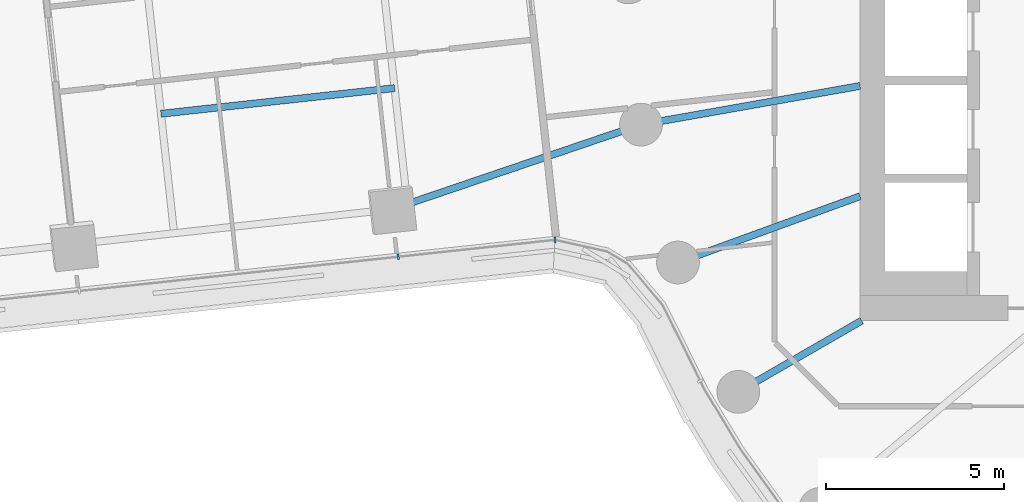
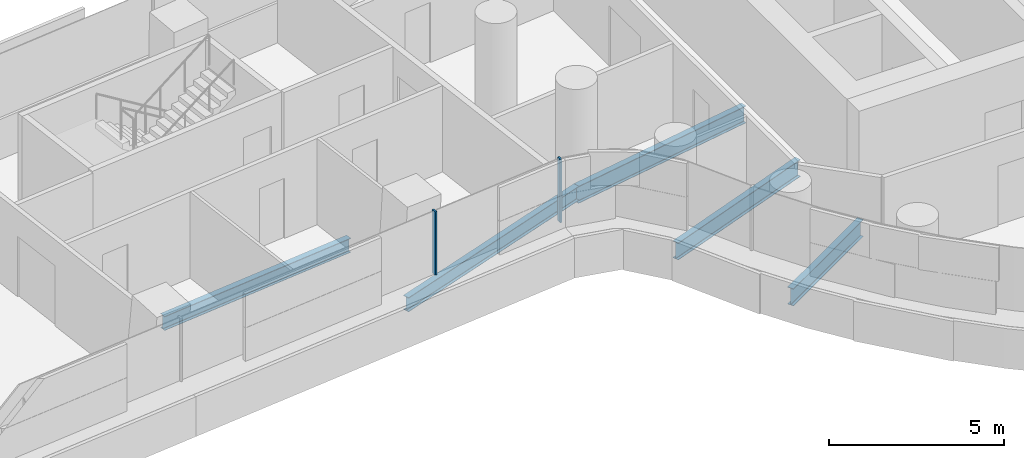
# One storey, part 5 of 31: 5 beams, 2 members, 2 elements without a shape of their own.
"""IFC4 building model written with IfcOpenShell, lengths in metres."""

from ifc_helpers import new_model, si_unit, direction, frame, origin, origin_2d, place, context, subcontext, project, spatial, rectangle, i_section, extrude, material, layer, layer_set, material_profile, profile_set, type_object, element, aggregate, save


model = new_model("IFC4")

# Units and contexts
model_context = context("Model", 3, precision=1e-05, world=origin(), true_north=direction((0.0, 1.0)))
body_context = subcontext(model_context, "Body", "Model", "MODEL_VIEW")
ifc_project = project(units=[si_unit("LENGTHUNIT", "METRE"), si_unit("AREAUNIT", "SQUARE_METRE"), si_unit("VOLUMEUNIT", "CUBIC_METRE"), si_unit("PLANEANGLEUNIT", "RADIAN"), si_unit("MASSUNIT", "GRAM", prefix="KILO")], contexts=[model_context])

# Site, building, storey
site_placement = place(None, origin())
site = spatial("IfcSite", under=ifc_project, at=site_placement, CompositionType="ELEMENT")
building_placement = place(site_placement, origin())
building = spatial("IfcBuilding", under=site, at=building_placement, Name="Tamarind Cross Interchange Tower", CompositionType="ELEMENT")
storey_placement = place(building_placement, frame((0.0, 0.0, 56.5)))
storey = spatial("IfcBuildingStorey", under=building, at=storey_placement, Name="L12", CompositionType="ELEMENT", Elevation=56.5)

# Beams
ifc_material_1 = material(Name="Steel Q355B", Category="steel")
ifc_material_profile_1 = material_profile(ifc_material_1, i_section(OverallWidth=0.198974609375, OverallDepth=0.49609375, WebThickness=0.009033203125, FlangeThickness=0.013916015625, FilletRadius=0.012939453125, at=origin_2d()), Name="HN 496x199x9x14")
ifc_profile_set_1 = profile_set([ifc_material_profile_1], Name="Steel Q355B")
beam_type_1 = type_object("IfcBeamType", Name="Composite beam HN 496x199x9x14 Q355B", PredefinedType="BEAM", material=ifc_profile_set_1)
beam_1_placement = place(storey_placement, frame((-29.64990234375, -6.37353515625, -0.387939453125), z_axis=(0.946777374536, 0.321889116105, 0.0), x_axis=(-0.321889116105, 0.946777374536, 0.0)))
element("IfcBeam", 1, at=beam_1_placement, inside=storey, type_object=beam_type_1, Name="Beam W-linkep", PredefinedType="BEAM", context=body_context, shape_type="SweptSolid", body=[
    extrude(i_section(OverallWidth=0.198974609375, OverallDepth=0.49609375, WebThickness=0.009033203125, FlangeThickness=0.013916015625, FilletRadius=0.012939453125, at=origin_2d()), origin(), (0.0, 0.0, 1.0), 7.392822265625),
])
beam_2_placement = place(storey_placement, frame((-29.571044921875, -2.969482421875, -0.387939453125), z_axis=(-0.994020105403, -0.109197207173, 0.0), x_axis=(0.109197207173, -0.994020105403, 0.0)))
element("IfcBeam", 2, at=beam_2_placement, inside=storey, type_object=beam_type_1, Name="Beam W-stripp", PredefinedType="BEAM", context=body_context, shape_type="SweptSolid", body=[
    extrude(i_section(OverallWidth=0.198974609375, OverallDepth=0.49609375, WebThickness=0.009033203125, FlangeThickness=0.013916015625, FilletRadius=0.012939453125, at=origin_2d()), origin(), (0.0, 0.0, 1.0), 6.60009765625),
])
ifc_material_profile_2 = material_profile(ifc_material_1, i_section(OverallWidth=0.198974609375, OverallDepth=0.595947265625, WebThickness=0.010009765625, FlangeThickness=0.014892578125, FilletRadius=0.012939453125, at=origin_2d()), Name="HN 596x199x10x15")
ifc_profile_set_2 = profile_set([ifc_material_profile_2], Name="Steel Q355B")
beam_type_2 = type_object("IfcBeamType", Name="Composite beam HN 596x199x10x15 Q355B", PredefinedType="BEAM", material=ifc_profile_set_2)
beam_3_placement = place(storey_placement, frame((-22.650634765625, -3.993896484375, -0.43798828125), z_axis=(0.984809127561, 0.173640382036, 0.0), x_axis=(-0.173640382036, 0.984809127561, 0.0)))
element("IfcBeam", 3, at=beam_3_placement, inside=storey, type_object=beam_type_2, Name="Beam HH19", PredefinedType="BEAM", context=body_context, shape_type="SweptSolid", body=[
    extrude(i_section(OverallWidth=0.198974609375, OverallDepth=0.595947265625, WebThickness=0.010009765625, FlangeThickness=0.014892578125, FilletRadius=0.012939453125, at=origin_2d()), origin(), (0.0, 0.0, 1.0), 6.24560546875),
])
beam_4_placement = place(storey_placement, frame((-21.613037109375, -7.866455078125, -0.43798828125), z_axis=(0.939701685589, 0.341995236956, 0.0), x_axis=(-0.341995236956, 0.939701685589, 0.0)))
element("IfcBeam", 4, at=beam_4_placement, inside=storey, type_object=beam_type_2, Name="Beam HH20", PredefinedType="BEAM", context=body_context, shape_type="SweptSolid", body=[
    extrude(i_section(OverallWidth=0.198974609375, OverallDepth=0.595947265625, WebThickness=0.010009765625, FlangeThickness=0.014892578125, FilletRadius=0.012939453125, at=origin_2d()), origin(), (0.0, 0.0, 1.0), 5.441162109375),
])
beam_5_placement = place(storey_placement, frame((-19.918701171875, -11.5, -0.43798828125), z_axis=(0.866026010844, 0.49999894854, 0.0), x_axis=(-0.49999894854, 0.866026010844, 0.0)))
element("IfcBeam", 5, at=beam_5_placement, inside=storey, type_object=beam_type_2, Name="Beam HH21", PredefinedType="BEAM", context=body_context, shape_type="SweptSolid", body=[
    extrude(i_section(OverallWidth=0.198974609375, OverallDepth=0.595947265625, WebThickness=0.010009765625, FlangeThickness=0.014892578125, FilletRadius=0.012939453125, at=origin_2d()), origin(), (0.0, 0.0, 1.0), 4.0),
])

# Curtain wall, member
ifc_material_2 = material(Name="Aluminium 6063-T6", Category="aluminium")
ifc_layer = layer(ifc_material_2, 0.159912109375)
ifc_layer_set = layer_set([ifc_layer], Name="Aluminium 6063-T6")
curtain_wall_type = type_object("IfcCurtainWallType", Name="Office curtain wall, 9.0 m bays", PredefinedType="NOTDEFINED", material=ifc_layer_set)
curtain_wall_1_placement = place(storey_placement, origin())
curtain_wall_1 = element("IfcCurtainWall", 6, at=curtain_wall_1_placement, inside=storey, type_object=curtain_wall_type, Name="CWS-L12-09", PredefinedType="NOTDEFINED")
ifc_material_profile_3 = material_profile(ifc_material_2, rectangle(XDim=0.06005859375, YDim=0.159912109375, at=origin_2d()), Name="Mullion CW1")
ifc_profile_set_3 = profile_set([ifc_material_profile_3], Name="Aluminium 6063-T6")
member_type = type_object("IfcMemberType", Name="Mullion CW1", PredefinedType="MULLION", material=ifc_profile_set_3)
member_1_placement = place(storey_placement, frame((-29.4716796875, -7.703857421875, 1.39990234375), z_axis=(0.0, 0.0, 1.0), x_axis=(0.994286578986, 0.106743612679, 0.0)))
member_1 = element("IfcMember", 7, at=member_1_placement, type_object=member_type, Name="CWM-L12-09-02", PredefinedType="MULLION", context=body_context, shape_type="SweptSolid", body=[
    extrude(rectangle(XDim=0.06005859375, YDim=0.159912109375, at=origin_2d()), origin(), (0.0, 0.0, 1.0), 2.210205078125),
])
aggregate(curtain_wall_1, [member_1])

curtain_wall_2_placement = place(storey_placement, origin())
curtain_wall_2 = element("IfcCurtainWall", 8, at=curtain_wall_2_placement, inside=storey, type_object=curtain_wall_type, Name="CWS-L12-10", PredefinedType="NOTDEFINED")
member_2_placement = place(storey_placement, frame((-25.06689453125, -7.23095703125, 1.39990234375), z_axis=(0.0, 0.0, 1.0), x_axis=(0.998468977092, -0.055314571186, 0.0)))
member_2 = element("IfcMember", 9, at=member_2_placement, type_object=member_type, Name="CWM-L12-10-00", PredefinedType="MULLION", context=body_context, shape_type="SweptSolid", body=[
    extrude(rectangle(XDim=0.06005859375, YDim=0.159912109375, at=origin_2d()), origin(), (0.0, 0.0, 1.0), 2.210205078125),
])
aggregate(curtain_wall_2, [member_2])

save(model, "model.ifc")
